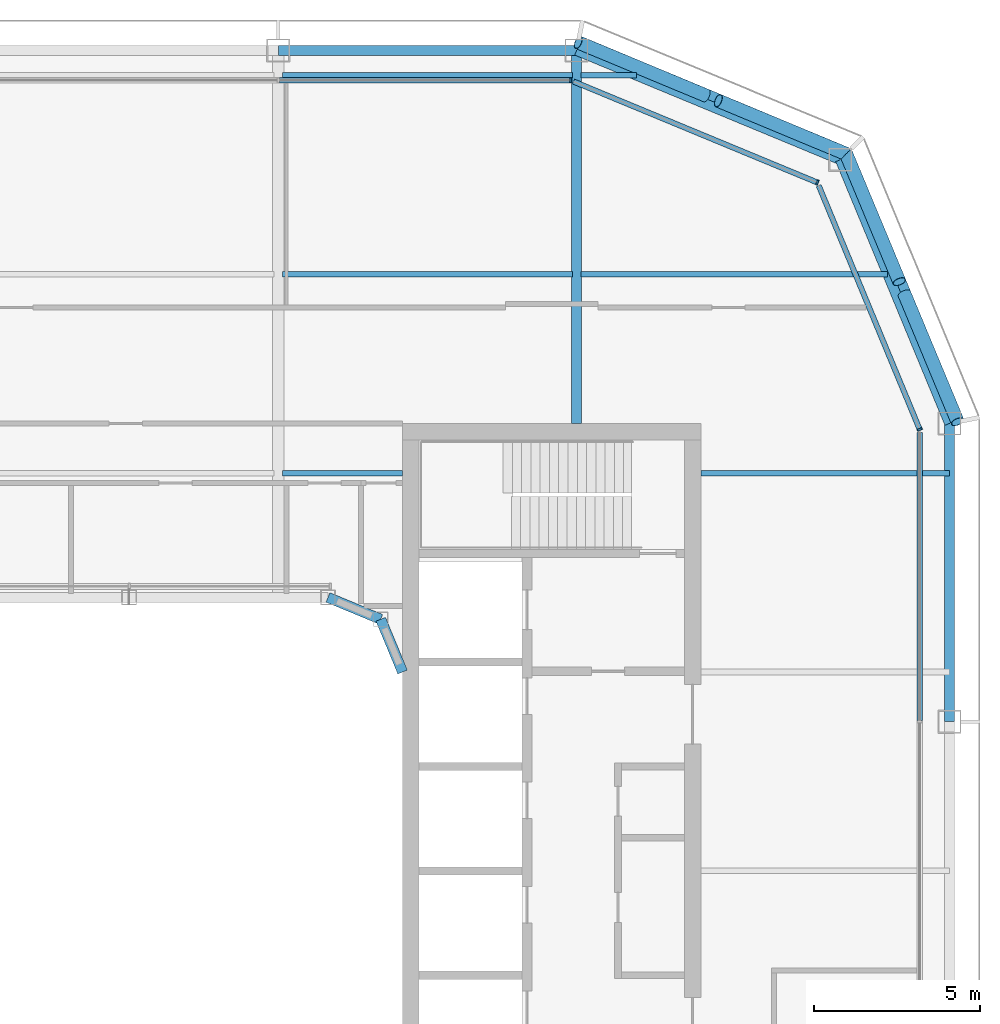
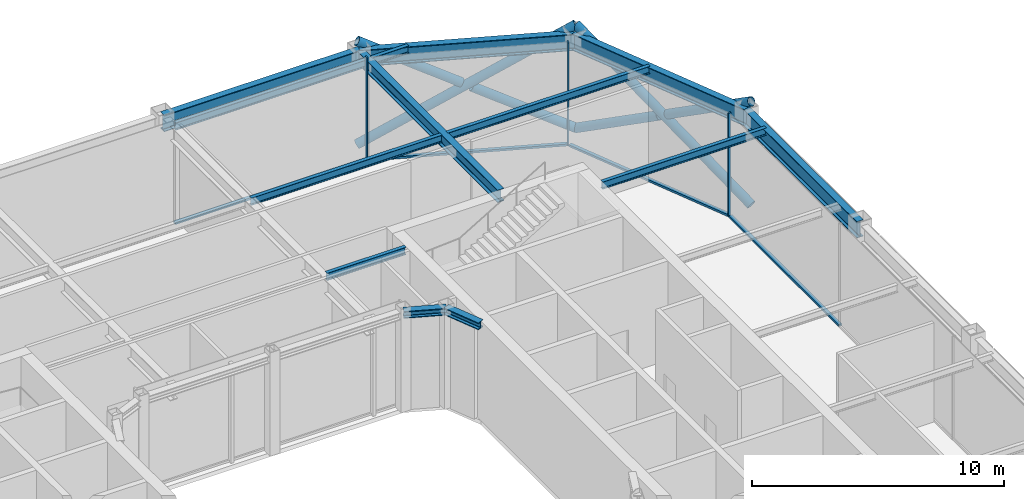
# One storey, part 9 of 17: 13 beams, 13 members, 4 elements without a shape of their own.
"""IFC4 building model written with IfcOpenShell, lengths in metres."""

from ifc_helpers import new_model, si_unit, direction, frame, origin, origin_2d, place, context, subcontext, project, spatial, rectangle, hollow_circle, i_section, extrude, material, layer, layer_set, material_profile, profile_set, type_object, element, aggregate, save


model = new_model("IFC4")

# Units and contexts
model_context = context("Model", 3, precision=1e-05, world=origin(), true_north=direction((0.0, 1.0)))
body_context = subcontext(model_context, "Body", "Model", "MODEL_VIEW")
ifc_project = project(units=[si_unit("LENGTHUNIT", "METRE"), si_unit("AREAUNIT", "SQUARE_METRE"), si_unit("VOLUMEUNIT", "CUBIC_METRE"), si_unit("PLANEANGLEUNIT", "RADIAN"), si_unit("MASSUNIT", "GRAM", prefix="KILO")], contexts=[model_context])

# Site, building, storey
site_placement = place(None, origin())
site = spatial("IfcSite", under=ifc_project, at=site_placement, CompositionType="ELEMENT")
building_placement = place(site_placement, origin())
building = spatial("IfcBuilding", under=site, at=building_placement, Name="Siwar Civic Tower", CompositionType="ELEMENT")
storey_placement = place(building_placement, frame((0.0, 0.0, 353.199951171875)))
storey = spatial("IfcBuildingStorey", under=building, at=storey_placement, Name="L76", CompositionType="ELEMENT", Elevation=353.199951171875)

# Curtain wall, member
ifc_material_1 = material(Name="Aluminium clad insulated panel", Category="aluminium")
ifc_layer_1 = layer(ifc_material_1, 0.159912109375)
ifc_layer_set_1 = layer_set([ifc_layer_1], Name="Aluminium clad insulated panel")
curtain_wall_type_1 = type_object("IfcCurtainWallType", Name="ENV-CW-DX", PredefinedType="NOTDEFINED", material=ifc_layer_set_1)
curtain_wall_1_placement = place(storey_placement, origin())
curtain_wall_1 = element("IfcCurtainWall", 1, at=curtain_wall_1_placement, inside=storey, type_object=curtain_wall_type_1, Name="Curtain wall D NE1", PredefinedType="NOTDEFINED")
ifc_material_2 = material(Name="Aluminium 6063-T6", Category="aluminium")
ifc_material_profile_1 = material_profile(ifc_material_2, rectangle(XDim=0.159912109375, YDim=0.06005859375, at=origin_2d()), Name="AL 160x60")
ifc_profile_set_1 = profile_set([ifc_material_profile_1], Name="Aluminium 6063-T6")
member_type_1 = type_object("IfcMemberType", Name="ENV-MULLION-D", PredefinedType="MULLION", material=ifc_profile_set_1)
member_1_placement = place(storey_placement, frame((23.85009765625, 13.321044921875, 0.0), z_axis=(0.0, 0.0, 1.0), x_axis=(-0.923879532511, -0.382683432365, 0.0)))
member_1 = element("IfcMember", 2, at=member_1_placement, type_object=member_type_1, Name="Mullion D NE1 1", PredefinedType="MULLION", context=body_context, shape_type="SweptSolid", body=[
    extrude(rectangle(XDim=0.159912109375, YDim=0.06005859375, at=origin_2d()), origin(), (0.0, 0.0, 1.0), 5.0),
])

curtain_wall_2_placement = place(storey_placement, origin())
curtain_wall_2 = element("IfcCurtainWall", 3, at=curtain_wall_2_placement, inside=storey, type_object=curtain_wall_type_1, Name="Curtain wall D NE2", PredefinedType="NOTDEFINED")
member_2_placement = place(storey_placement, frame((20.76611328125, 20.76611328125, 0.0), z_axis=(0.0, 0.0, 1.0), x_axis=(-0.382683432365, -0.923879532511, 0.0)))
member_2 = element("IfcMember", 4, at=member_2_placement, type_object=member_type_1, Name="Mullion D NE2 1", PredefinedType="MULLION", context=body_context, shape_type="SweptSolid", body=[
    extrude(rectangle(XDim=0.159912109375, YDim=0.06005859375, at=origin_2d()), origin(), (0.0, 0.0, 1.0), 5.0),
])

ifc_material_3 = material(Name="Aluminium and glass", Category="aluminium")
ifc_layer_2 = layer(ifc_material_3, 0.159912109375)
ifc_layer_set_2 = layer_set([ifc_layer_2], Name="Aluminium and glass")
curtain_wall_type_2 = type_object("IfcCurtainWallType", Name="ENV-CW-D", PredefinedType="NOTDEFINED", material=ifc_layer_set_2)
curtain_wall_3_placement = place(storey_placement, origin())
curtain_wall_3 = element("IfcCurtainWall", 5, at=curtain_wall_3_placement, inside=storey, type_object=curtain_wall_type_2, Name="Curtain wall D N", PredefinedType="NOTDEFINED")
member_3_placement = place(storey_placement, frame((13.321044921875, 23.85009765625, 0.0), z_axis=(0.0, 0.0, 1.0), x_axis=(0.0, -1.0, 0.0)))
member_3 = element("IfcMember", 6, at=member_3_placement, type_object=member_type_1, Name="Mullion D N 1", PredefinedType="MULLION", context=body_context, shape_type="SweptSolid", body=[
    extrude(rectangle(XDim=0.159912109375, YDim=0.06005859375, at=origin_2d()), origin(), (0.0, 0.0, 1.0), 5.0),
])

curtain_wall_4_placement = place(storey_placement, origin())
curtain_wall_4 = element("IfcCurtainWall", 7, at=curtain_wall_4_placement, inside=storey, type_object=curtain_wall_type_2, Name="Curtain wall D E", PredefinedType="NOTDEFINED")
ifc_material_4 = material(Name="Aluminium 6063-T6", Category="aluminium")
ifc_material_profile_2 = material_profile(ifc_material_4, rectangle(XDim=0.159912109375, YDim=0.10009765625, at=origin_2d()), Name="AL 160x100")
ifc_profile_set_2 = profile_set([ifc_material_profile_2], Name="Aluminium 6063-T6")
member_type_2 = type_object("IfcMemberType", Name="ENV-TRANSOM-D", PredefinedType="USERDEFINED", material=ifc_profile_set_2)
member_4_placement = place(storey_placement, frame((23.85009765625, 4.530029296875, 0.050048828125), z_axis=(0.0, 1.0, 0.0), x_axis=(-1.0, 0.0, 0.0)))
member_4 = element("IfcMember", 8, at=member_4_placement, type_object=member_type_2, Name="Transom D E 3", ObjectType="TRANSOM", PredefinedType="USERDEFINED", context=body_context, shape_type="SweptSolid", body=[
    extrude(rectangle(XDim=0.159912109375, YDim=0.10009765625, at=origin_2d()), origin(), (0.0, 0.0, 1.0), 8.693115234375),
])
aggregate(curtain_wall_4, [member_4])

# Member
member_5_placement = place(storey_placement, frame((23.838623046875, 13.3486328125, 0.050048828125), z_axis=(-0.382699790424, 0.923872756612, 0.0), x_axis=(-0.923872756612, -0.382699790424, 0.0)))
member_5 = element("IfcMember", 9, at=member_5_placement, type_object=member_type_2, Name="Transom D NE1 1", ObjectType="TRANSOM", PredefinedType="USERDEFINED", context=body_context, shape_type="SweptSolid", body=[
    extrude(rectangle(XDim=0.159912109375, YDim=0.10009765625, at=origin_2d()), origin(), (0.0, 0.0, 1.0), 7.930908203125),
])

aggregate(curtain_wall_1, [member_1, member_5])

member_6_placement = place(storey_placement, frame((20.738525390625, 20.777587890625, 0.050048828125), z_axis=(-0.923883640343, 0.382673515031, 0.0), x_axis=(-0.382673515031, -0.923883640343, 0.0)))
member_6 = element("IfcMember", 10, at=member_6_placement, type_object=member_type_2, Name="Transom D NE2 1", ObjectType="TRANSOM", PredefinedType="USERDEFINED", context=body_context, shape_type="SweptSolid", body=[
    extrude(rectangle(XDim=0.159912109375, YDim=0.10009765625, at=origin_2d()), origin(), (0.0, 0.0, 1.0), 7.930908203125),
])

aggregate(curtain_wall_2, [member_2, member_6])

member_7_placement = place(storey_placement, frame((13.291015625, 23.85009765625, 0.050048828125), z_axis=(-1.0, 0.0, 0.0), x_axis=(0.0, -1.0, 0.0)))
member_7 = element("IfcMember", 11, at=member_7_placement, type_object=member_type_2, Name="Transom D N 1", ObjectType="TRANSOM", PredefinedType="USERDEFINED", context=body_context, shape_type="SweptSolid", body=[
    extrude(rectangle(XDim=0.159912109375, YDim=0.10009765625, at=origin_2d()), origin(), (0.0, 0.0, 1.0), 8.760986328125),
])

aggregate(curtain_wall_3, [member_3, member_7])

# Members
ifc_material_5 = material(Name="Steel S355", Category="steel")
ifc_material_profile_3 = material_profile(ifc_material_5, hollow_circle(Radius=0.203125, WallThickness=0.01611328125, at=origin_2d()), Name="CHS406.4x16")
ifc_profile_set_3 = profile_set([ifc_material_profile_3], Name="Steel S355")
member_type_3 = type_object("IfcMemberType", Name="STR-BR-CHS406.4x16", PredefinedType="BRACE", material=ifc_profile_set_3)
member_8_placement = place(storey_placement, frame((13.548828125, 24.9951171875, 0.0), z_axis=(0.801726811989, -0.333592743807, 0.495933463499), x_axis=(0.384163874976, 0.923264922524, 0.0)))
element("IfcMember", 12, at=member_8_placement, inside=storey, type_object=member_type_3, Name="L76/brc/DNE1-15-0-1", PredefinedType="BRACE", context=body_context, shape_type="SweptSolid", body=[
    extrude(hollow_circle(Radius=0.203125, WallThickness=0.01611328125, at=origin_2d()), origin(), (0.0, 0.0, 1.0), 10.08203125),
])
for number, where, z_axis, x_axis, name in (
    (13, (21.6318359375, 21.6318359375, 0.0), (-0.801737302644, 0.333566570839, 0.495934108897), (-0.384133897361, -0.923277395422, 0.0), "L76/brc/DNE1-15-0-2"),
    (14, (17.405029296875, 23.390380859375, 2.614501953125), (-0.80170559549, 0.333625253508, 0.495945892595), (-0.384204453742, -0.923248036946, 0.0), "L76/brc/DNE1-15-0-3"),
):
    element("IfcMember", number, at=place(storey_placement, frame(where, z_axis=z_axis, x_axis=x_axis)), inside=storey, type_object=member_type_3, Name=name, PredefinedType="BRACE", context=body_context, shape_type="SweptSolid", body=[
        extrude(hollow_circle(Radius=0.203125, WallThickness=0.01611328125, at=origin_2d()), origin(), (0.0, 0.0, 1.0), 4.81005859375),
    ])
member_9_placement = place(storey_placement, frame((24.9951171875, 13.548828125, 0.0), z_axis=(-0.333592743807, 0.801726811989, 0.495933463499), x_axis=(-0.923264922524, -0.384163874976, 0.0)))
element("IfcMember", 15, at=member_9_placement, inside=storey, type_object=member_type_3, Name="L76/brc/DNE1-15-0-0", PredefinedType="BRACE", context=body_context, shape_type="SweptSolid", body=[
    extrude(hollow_circle(Radius=0.203125, WallThickness=0.01611328125, at=origin_2d()), origin(), (0.0, 0.0, 1.0), 10.08203125),
])
for number, where, z_axis, x_axis, name in (
    (16, (21.6318359375, 21.6318359375, 0.0), (0.333566570839, -0.801737302644, 0.495934108897), (0.923277395422, 0.384133897361, 0.0), "L76/brc/DNE1-15-0-4"),
    (17, (23.390380859375, 17.405029296875, 2.614501953125), (0.333625253508, -0.80170559549, 0.495945892595), (0.923248036946, 0.384204453742, 0.0), "L76/brc/DNE1-15-0-5"),
):
    element("IfcMember", number, at=place(storey_placement, frame(where, z_axis=z_axis, x_axis=x_axis)), inside=storey, type_object=member_type_3, Name=name, PredefinedType="BRACE", context=body_context, shape_type="SweptSolid", body=[
        extrude(hollow_circle(Radius=0.203125, WallThickness=0.01611328125, at=origin_2d()), origin(), (0.0, 0.0, 1.0), 4.81005859375),
    ])

# Beams
ifc_material_6 = material(Name="Steel S355", Category="steel")
ifc_material_profile_4 = material_profile(ifc_material_6, i_section(OverallWidth=0.169921875, OverallDepth=0.360107421875, WebThickness=0.008056640625, FlangeThickness=0.0126953125, FilletRadius=0.01806640625, at=origin_2d()), Name="IPE360")
ifc_profile_set_4 = profile_set([ifc_material_profile_4], Name="Steel S355")
beam_type_1 = type_object("IfcBeamType", Name="STR-FB-IPE360", PredefinedType="JOIST", material=ifc_profile_set_4)
beam_1_placement = place(storey_placement, frame((4.6298828125, 12.0, 4.6201171875), z_axis=(1.0, 0.0, 0.0), x_axis=(0.0, 1.0, 0.0)))
element("IfcBeam", 18, at=beam_1_placement, inside=storey, type_object=beam_type_1, Name="L76/bm/F025", PredefinedType="JOIST", context=body_context, shape_type="SweptSolid", body=[
    extrude(i_section(OverallWidth=0.169921875, OverallDepth=0.360107421875, WebThickness=0.008056640625, FlangeThickness=0.0126953125, FilletRadius=0.01806640625, at=origin_2d()), origin(), (0.0, 0.0, 1.0), 3.6201171875),
])
beam_2_placement = place(storey_placement, frame((17.25, 12.0, 4.6201171875), z_axis=(1.0, 0.0, 0.0), x_axis=(0.0, 1.0, 0.0)))
element("IfcBeam", 19, at=beam_2_placement, inside=storey, type_object=beam_type_1, Name="L76/bm/F026", PredefinedType="JOIST", context=body_context, shape_type="SweptSolid", body=[
    extrude(i_section(OverallWidth=0.169921875, OverallDepth=0.360107421875, WebThickness=0.008056640625, FlangeThickness=0.0126953125, FilletRadius=0.01806640625, at=origin_2d()), origin(), (0.0, 0.0, 1.0), 7.5),
])
beam_3_placement = place(storey_placement, frame((4.6298828125, 18.0, 4.6201171875), z_axis=(1.0, 0.0, 0.0), x_axis=(0.0, 1.0, 0.0)))
element("IfcBeam", 20, at=beam_3_placement, inside=storey, type_object=beam_type_1, Name="L76/bm/F030", PredefinedType="JOIST", context=body_context, shape_type="SweptSolid", body=[
    extrude(i_section(OverallWidth=0.169921875, OverallDepth=0.360107421875, WebThickness=0.008056640625, FlangeThickness=0.0126953125, FilletRadius=0.01806640625, at=origin_2d()), origin(), (0.0, 0.0, 1.0), 8.740234375),
])
beam_4_placement = place(storey_placement, frame((13.6298828125, 18.0, 4.6201171875), z_axis=(1.0, 0.0, 0.0), x_axis=(0.0, 1.0, 0.0)))
element("IfcBeam", 21, at=beam_4_placement, inside=storey, type_object=beam_type_1, Name="L76/bm/F031", PredefinedType="JOIST", context=body_context, shape_type="SweptSolid", body=[
    extrude(i_section(OverallWidth=0.169921875, OverallDepth=0.360107421875, WebThickness=0.008056640625, FlangeThickness=0.0126953125, FilletRadius=0.01806640625, at=origin_2d()), origin(), (0.0, 0.0, 1.0), 9.256103515625),
])
beam_5_placement = place(storey_placement, frame((4.6298828125, 24.0, 4.6201171875), z_axis=(1.0, 0.0, 0.0), x_axis=(0.0, 1.0, 0.0)))
element("IfcBeam", 22, at=beam_5_placement, inside=storey, type_object=beam_type_1, Name="L76/bm/F035", PredefinedType="JOIST", context=body_context, shape_type="SweptSolid", body=[
    extrude(i_section(OverallWidth=0.169921875, OverallDepth=0.360107421875, WebThickness=0.008056640625, FlangeThickness=0.0126953125, FilletRadius=0.01806640625, at=origin_2d()), origin(), (0.0, 0.0, 1.0), 8.740234375),
])
beam_6_placement = place(storey_placement, frame((13.6298828125, 24.0, 4.6201171875), z_axis=(1.0, 0.0, 0.0), x_axis=(0.0, 1.0, 0.0)))
element("IfcBeam", 23, at=beam_6_placement, inside=storey, type_object=beam_type_1, Name="L76/bm/F036", PredefinedType="JOIST", context=body_context, shape_type="SweptSolid", body=[
    extrude(i_section(OverallWidth=0.169921875, OverallDepth=0.360107421875, WebThickness=0.008056640625, FlangeThickness=0.0126953125, FilletRadius=0.01806640625, at=origin_2d()), origin(), (0.0, 0.0, 1.0), 1.6806640625),
])
ifc_material_7 = material(Name="Steel S355", Category="steel")
ifc_material_profile_5 = material_profile(ifc_material_7, i_section(OverallWidth=0.300048828125, OverallDepth=0.60009765625, WebThickness=0.015380859375, FlangeThickness=0.030029296875, FilletRadius=0.027099609375, at=origin_2d()), Name="HEB600")
ifc_profile_set_5 = profile_set([ifc_material_profile_5], Name="Steel S355")
beam_type_2 = type_object("IfcBeamType", Name="STR-PG-HEB600", PredefinedType="BEAM", material=ifc_profile_set_5)
beam_7_placement = place(storey_placement, frame((13.5, 13.5, 4.5), z_axis=(0.0, 1.0, 0.0), x_axis=(-1.0, 0.0, 0.0)))
element("IfcBeam", 24, at=beam_7_placement, inside=storey, type_object=beam_type_2, Name="L76/bm/G08", PredefinedType="BEAM", context=body_context, shape_type="SweptSolid", body=[
    extrude(i_section(OverallWidth=0.300048828125, OverallDepth=0.60009765625, WebThickness=0.015380859375, FlangeThickness=0.030029296875, FilletRadius=0.027099609375, at=origin_2d()), origin(), (0.0, 0.0, 1.0), 11.25),
])
ifc_material_8 = material(Name="Steel S355", Category="steel")
ifc_material_profile_6 = material_profile(ifc_material_8, i_section(OverallWidth=0.31005859375, OverallDepth=0.340087890625, WebThickness=0.02099609375, FlangeThickness=0.0390625, FilletRadius=0.027099609375, at=origin_2d()), Name="HEM300")
ifc_profile_set_6 = profile_set([ifc_material_profile_6], Name="Steel S355")
beam_type_3 = type_object("IfcBeamType", Name="STR-RB-HEM300", PredefinedType="BEAM", material=ifc_profile_set_6)
for number, where, z_axis, x_axis, name in (
    (25, (6.0, 8.25, 4.630126953125), (0.923901072997, -0.382631424892, 0.0), (0.382631424892, 0.923901072997, 0.0), "L76/bm/RN3"),
    (26, (7.591064453125, 7.591064453125, 4.630126953125), (0.382631424892, -0.923901072997, 0.0), (0.923901072997, 0.382631424892, 0.0), "L76/bm/RNEE"),
):
    element("IfcBeam", number, at=place(storey_placement, frame(where, z_axis=z_axis, x_axis=x_axis)), inside=storey, type_object=beam_type_3, Name=name, PredefinedType="BEAM", context=body_context, shape_type="SweptSolid", body=[
        extrude(i_section(OverallWidth=0.31005859375, OverallDepth=0.340087890625, WebThickness=0.02099609375, FlangeThickness=0.0390625, FilletRadius=0.027099609375, at=origin_2d()), origin(), (0.0, 0.0, 1.0), 1.72216796875),
    ])
ifc_material_9 = material(Name="Steel S355", Category="steel")
ifc_material_profile_7 = material_profile(ifc_material_9, i_section(OverallWidth=0.300048828125, OverallDepth=0.800048828125, WebThickness=0.017578125, FlangeThickness=0.032958984375, FilletRadius=0.030029296875, at=origin_2d()), Name="HEB800")
ifc_profile_set_7 = profile_set([ifc_material_profile_7], Name="Steel S355")
beam_type_4 = type_object("IfcBeamType", Name="STR-SB-HEB800", PredefinedType="BEAM", material=ifc_profile_set_7)
beam_8_placement = place(storey_placement, frame((24.75, 4.5, 4.400146484375), z_axis=(0.0, 1.0, 0.0), x_axis=(-1.0, 0.0, 0.0)))
element("IfcBeam", 27, at=beam_8_placement, inside=storey, type_object=beam_type_4, Name="L76/bm/SE-2", PredefinedType="BEAM", context=body_context, shape_type="SweptSolid", body=[
    extrude(i_section(OverallWidth=0.300048828125, OverallDepth=0.800048828125, WebThickness=0.017578125, FlangeThickness=0.032958984375, FilletRadius=0.030029296875, at=origin_2d()), origin(), (0.0, 0.0, 1.0), 9.0),
])
for number, where, z_axis, x_axis, name in (
    (28, (24.75, 13.5, 4.400146484375), (-0.382699877515, 0.923872720536, 0.0), (-0.923872720536, -0.382699877515, 0.0), "L76/bm/SNE1-0"),
    (29, (21.454833984375, 21.454833984375, 4.400146484375), (-0.923872720536, 0.382699877515, 0.0), (-0.382699877515, -0.923872720536, 0.0), "L76/bm/SNE2-0"),
):
    element("IfcBeam", number, at=place(storey_placement, frame(where, z_axis=z_axis, x_axis=x_axis)), inside=storey, type_object=beam_type_4, Name=name, PredefinedType="BEAM", context=body_context, shape_type="SweptSolid", body=[
        extrude(i_section(OverallWidth=0.300048828125, OverallDepth=0.800048828125, WebThickness=0.017578125, FlangeThickness=0.032958984375, FilletRadius=0.030029296875, at=origin_2d()), origin(), (0.0, 0.0, 1.0), 8.6103515625),
    ])
beam_9_placement = place(storey_placement, frame((13.5, 24.75, 4.400146484375), z_axis=(-1.0, 0.0, 0.0), x_axis=(0.0, -1.0, 0.0)))
element("IfcBeam", 30, at=beam_9_placement, inside=storey, type_object=beam_type_4, Name="L76/bm/SN-0", PredefinedType="BEAM", context=body_context, shape_type="SweptSolid", body=[
    extrude(i_section(OverallWidth=0.300048828125, OverallDepth=0.800048828125, WebThickness=0.017578125, FlangeThickness=0.032958984375, FilletRadius=0.030029296875, at=origin_2d()), origin(), (0.0, 0.0, 1.0), 9.0),
])

save(model, "model.ifc")
